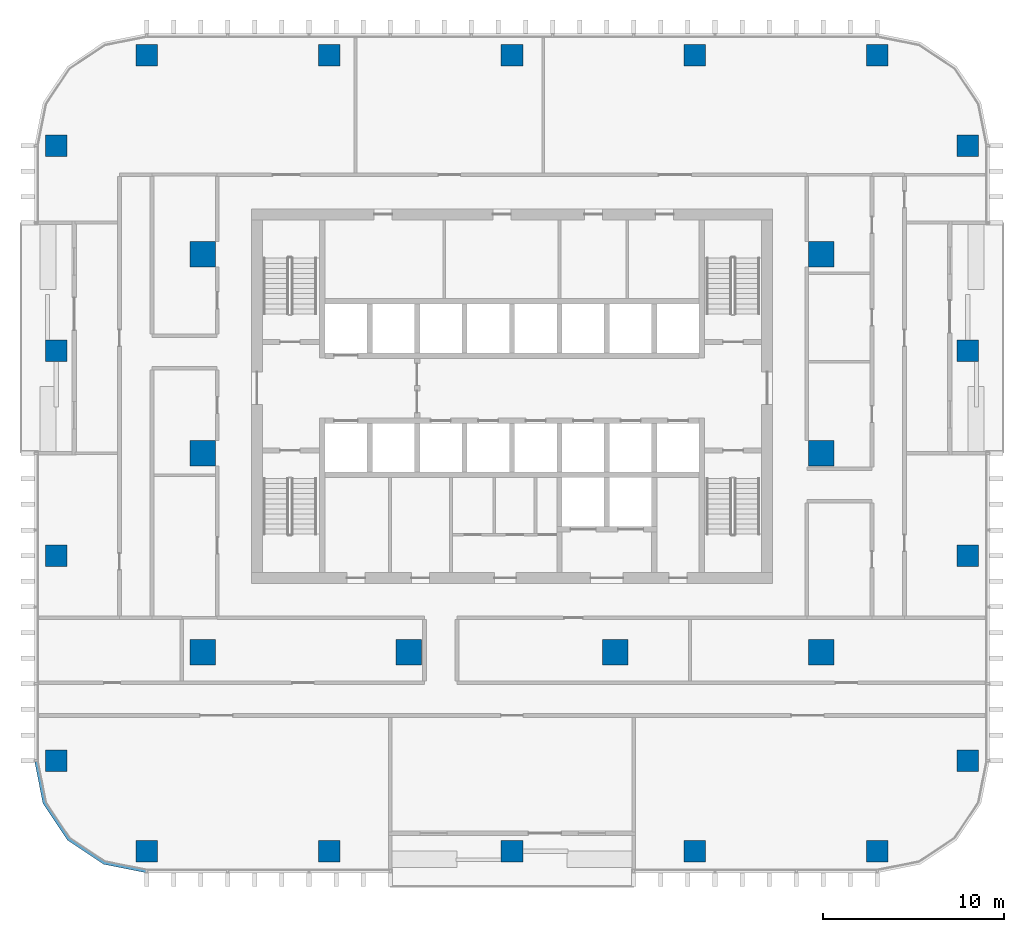
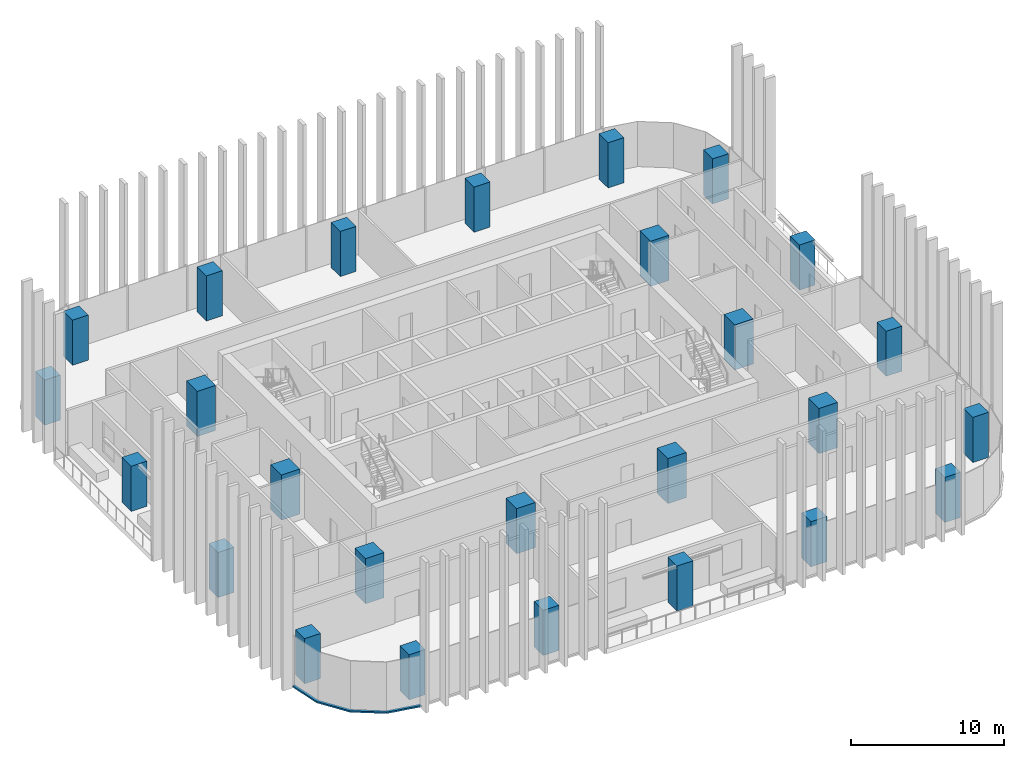
# One storey, part 1 of 15: 26 columns, 1 member, 1 element without a shape of its own.
"""IFC4 building model written with IfcOpenShell, lengths in metres."""

from ifc_helpers import new_model, si_unit, direction, frame, origin, origin_2d, place, context, subcontext, project, spatial, polyline, rectangle, outline, extrude, material, material_profile, profile_set, type_object, element, aggregate, save


model = new_model("IFC4")

# Units and contexts
model_context = context("Model", 3, precision=1e-05, world=origin(), true_north=direction((0.0, 1.0)))
body_context = subcontext(model_context, "Body", "Model", "MODEL_VIEW")
ifc_project = project(units=[si_unit("LENGTHUNIT", "METRE"), si_unit("AREAUNIT", "SQUARE_METRE"), si_unit("VOLUMEUNIT", "CUBIC_METRE"), si_unit("PLANEANGLEUNIT", "RADIAN"), si_unit("MASSUNIT", "GRAM", prefix="KILO")], contexts=[model_context])

# Site, building, storey
site_placement = place(None, origin())
site = spatial("IfcSite", under=ifc_project, at=site_placement, CompositionType="ELEMENT")
building_placement = place(site_placement, origin())
building = spatial("IfcBuilding", under=site, at=building_placement, Name="Mopane Tessera Tower", CompositionType="ELEMENT")
storey_placement = place(building_placement, frame((0.0, 0.0, 169.0)))
storey = spatial("IfcBuildingStorey", under=building, at=storey_placement, Name="L34", CompositionType="ELEMENT", Elevation=169.0)

# Columns
ifc_material_1 = material(Name="Concrete C50/60", Category="concrete")
ifc_material_profile_1 = material_profile(ifc_material_1, rectangle(XDim=1.39990234375, YDim=1.39990234375, at=origin_2d()))
ifc_profile_set_1 = profile_set([ifc_material_profile_1], Name="Concrete C50/60")
column_type_1 = type_object("IfcColumnType", Name="Interior column 1400 x 1400 C50/60", PredefinedType="COLUMN", material=ifc_profile_set_1)
for number, where, z_axis, x_axis, name in (
    (1, (-17.10009765625, -11.0, 0.0), (0.0, 0.0, 1.0), (1.0, 0.0, 0.0), "Interior column I1A L34"),
    (2, (-17.10009765625, 0.0, 0.0), (0.0, 0.0, 1.0), (1.0, 0.0, 0.0), "Interior column I1B L34"),
    (3, (-17.10009765625, 11.0, 0.0), (0.0, 0.0, 1.0), (1.0, 0.0, 0.0), "Interior column I1C L34"),
    (4, (-5.699951171875, -11.0, 0.0), (0.0, 0.0, 1.0), (1.0, 0.0, 0.0), "Interior column I2A L34"),
    (5, (5.699951171875, -11.0, 0.0), (0.0, 0.0, 1.0), (1.0, 0.0, 0.0), "Interior column I3A L34"),
    (6, (17.10009765625, -11.0, 0.0), (0.0, 0.0, 1.0), (1.0, 0.0, 0.0), "Interior column I4A L34"),
    (7, (17.10009765625, 0.0, 0.0), (0.0, 0.0, 1.0), (1.0, 0.0, 0.0), "Interior column I4B L34"),
    (8, (17.10009765625, 11.0, 0.0), (0.0, 0.0, 1.0), (1.0, 0.0, 0.0), "Interior column I4C L34"),
):
    element("IfcColumn", number, at=place(storey_placement, frame(where, z_axis=z_axis, x_axis=x_axis)), inside=storey, type_object=column_type_1, Name=name, PredefinedType="COLUMN", context=body_context, shape_type="SweptSolid", body=[
        extrude(rectangle(XDim=1.39990234375, YDim=1.39990234375, at=origin_2d()), origin(), (0.0, 0.0, 1.0), 3.60009765625),
    ])
ifc_material_2 = material(Name="Concrete C50/60", Category="concrete")
ifc_material_profile_2 = material_profile(ifc_material_2, rectangle(XDim=1.199951171875, YDim=1.199951171875, at=origin_2d()))
ifc_profile_set_2 = profile_set([ifc_material_profile_2], Name="Concrete C50/60")
column_type_2 = type_object("IfcColumnType", Name="Ring column 1200 x 1200 C50/60", PredefinedType="COLUMN", material=ifc_profile_set_2)
for number, where, z_axis, x_axis, name in (
    (9, (-20.199951171875, -22.0, 0.0), (0.0, 0.0, 1.0), (1.0, 0.0, 0.0), "Ring column S0 L34"),
    (10, (-10.10009765625, -22.0, 0.0), (0.0, 0.0, 1.0), (1.0, 0.0, 0.0), "Ring column S1 L34"),
    (11, (0.0, -22.0, 0.0), (0.0, 0.0, 1.0), (1.0, 0.0, 0.0), "Ring column S2 L34"),
    (12, (10.10009765625, -22.0, 0.0), (0.0, 0.0, 1.0), (1.0, 0.0, 0.0), "Ring column S3 L34"),
    (13, (20.199951171875, -22.0, 0.0), (0.0, 0.0, 1.0), (1.0, 0.0, 0.0), "Ring column S4 L34"),
    (14, (25.199951171875, -17.0, 0.0), (0.0, 0.0, 1.0), (1.0, 0.0, 0.0), "Ring column E0 L34"),
    (15, (25.199951171875, -5.666748046875, 0.0), (0.0, 0.0, 1.0), (1.0, 0.0, 0.0), "Ring column E1 L34"),
    (16, (25.199951171875, 5.666748046875, 0.0), (0.0, 0.0, 1.0), (1.0, 0.0, 0.0), "Ring column E2 L34"),
    (17, (25.199951171875, 17.0, 0.0), (0.0, 0.0, 1.0), (1.0, 0.0, 0.0), "Ring column E3 L34"),
    (18, (20.199951171875, 22.0, 0.0), (0.0, 0.0, 1.0), (1.0, 0.0, 0.0), "Ring column N0 L34"),
    (19, (10.10009765625, 22.0, 0.0), (0.0, 0.0, 1.0), (1.0, 0.0, 0.0), "Ring column N1 L34"),
    (20, (0.0, 22.0, 0.0), (0.0, 0.0, 1.0), (1.0, 0.0, 0.0), "Ring column N2 L34"),
    (21, (-10.10009765625, 22.0, 0.0), (0.0, 0.0, 1.0), (1.0, 0.0, 0.0), "Ring column N3 L34"),
    (22, (-20.199951171875, 22.0, 0.0), (0.0, 0.0, 1.0), (1.0, 0.0, 0.0), "Ring column N4 L34"),
    (23, (-25.199951171875, 17.0, 0.0), (0.0, 0.0, 1.0), (1.0, 0.0, 0.0), "Ring column W0 L34"),
    (24, (-25.199951171875, 5.666748046875, 0.0), (0.0, 0.0, 1.0), (1.0, 0.0, 0.0), "Ring column W1 L34"),
    (25, (-25.199951171875, -5.666748046875, 0.0), (0.0, 0.0, 1.0), (1.0, 0.0, 0.0), "Ring column W2 L34"),
    (26, (-25.199951171875, -17.0, 0.0), (0.0, 0.0, 1.0), (1.0, 0.0, 0.0), "Ring column W3 L34"),
):
    element("IfcColumn", number, at=place(storey_placement, frame(where, z_axis=z_axis, x_axis=x_axis)), inside=storey, type_object=column_type_2, Name=name, PredefinedType="COLUMN", context=body_context, shape_type="SweptSolid", body=[
        extrude(rectangle(XDim=1.199951171875, YDim=1.199951171875, at=origin_2d()), origin(), (0.0, 0.0, 1.0), 3.60009765625),
    ])

# Curtain wall, member
ifc_material_3 = material(Name="Aluminium frame", Category="aluminium")
curtain_wall_type = type_object("IfcCurtainWallType", Name="Unitised curtain wall", PredefinedType="NOTDEFINED", material=ifc_material_3)
curtain_wall_placement = place(storey_placement, origin())
curtain_wall = element("IfcCurtainWall", 27, at=curtain_wall_placement, inside=storey, type_object=curtain_wall_type, Name="e:cw:L34:CW", PredefinedType="NOTDEFINED")
ifc_material_4 = material(Name="Aluminium frame", Category="aluminium")
ifc_material_profile_3 = material_profile(ifc_material_4, rectangle(XDim=0.199951171875, YDim=0.1201171875, at=origin_2d()))
ifc_profile_set_3 = profile_set([ifc_material_profile_3], Name="Aluminium frame")
member_type = type_object("IfcMemberType", Name="Aluminium transom 200 x 120", PredefinedType="USERDEFINED", material=ifc_profile_set_3)
member_placement = place(storey_placement, frame((0.0, 0.0, -0.39990234375)))
member = element("IfcMember", 28, at=member_placement, type_object=member_type, Name="e:cw:L34:CW:tr", ObjectType="TRANSOM", PredefinedType="USERDEFINED", context=body_context, shape_type="SweptSolid", body=[
    extrude(outline(polyline([(-26.199951171875, -17.0), (-25.7431640625, -19.296142578125), (-24.442626953125, -21.24267578125), (-22.49609375, -22.543212890625), (-20.199951171875, -23.0), (-20.199951171875, -23.199951171875), (-22.57275390625, -22.72802734375), (-24.583984375, -21.384033203125), (-25.927978515625, -19.37255859375), (-26.39990234375, -17.0), (-26.199951171875, -17.0)])), origin(), (0.0, 0.0, 1.0), 0.119873046875),
])
aggregate(curtain_wall, [member])

save(model, "model.ifc")
